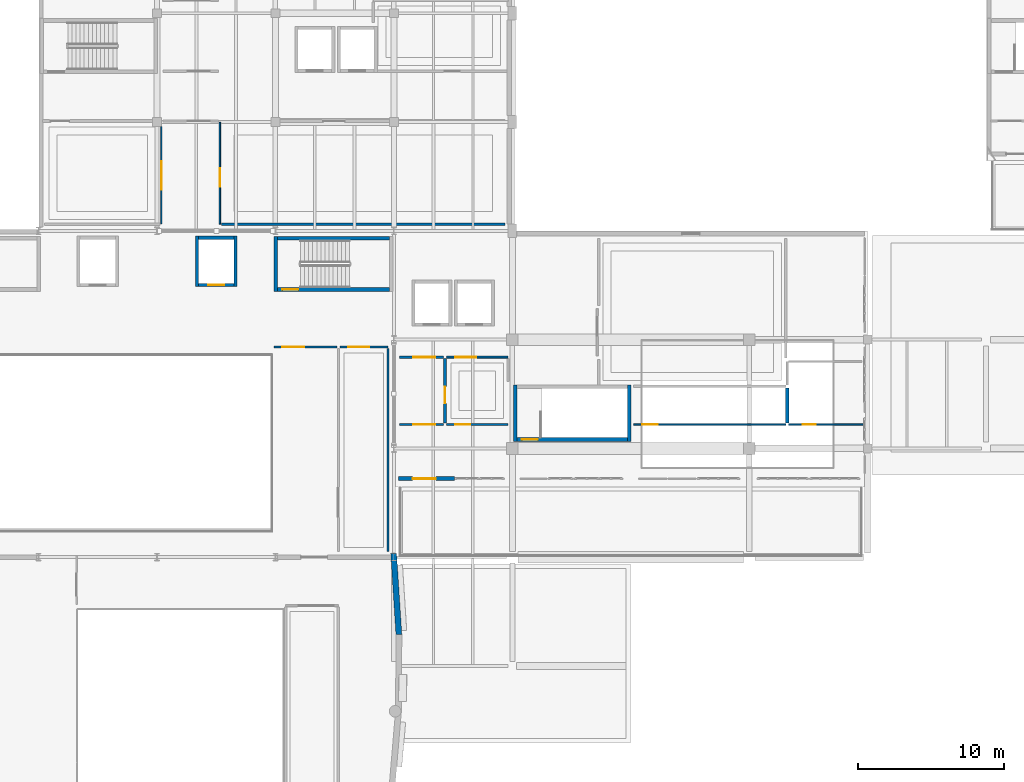
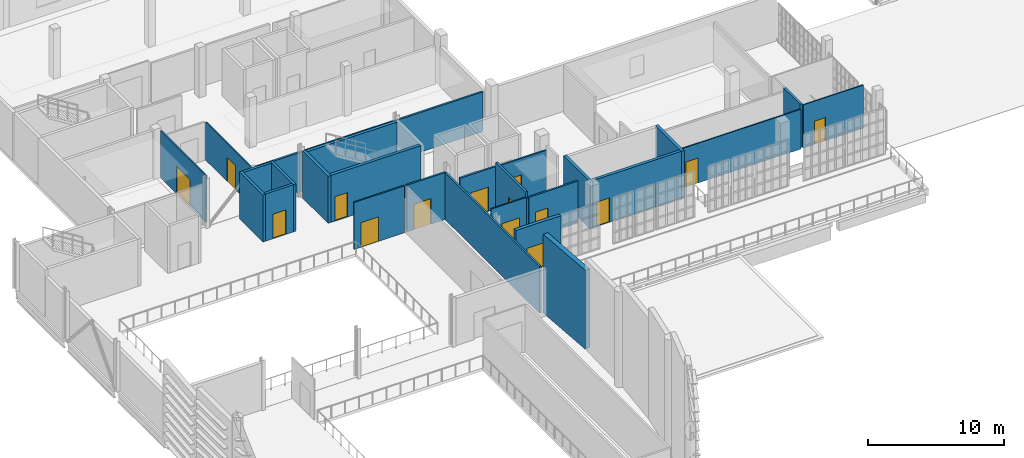
# One storey, part 46 of 56: 26 walls, 15 doors, 15 openings.
"""IFC4 building model written with IfcOpenShell, lengths in metres."""

import ifcopenshell
import ifcopenshell.guid

model = None  # the IFC model being written
_history = None  # IfcOwnerHistory: only IFC2X3 demands one
_inside = {}  # id of a spatial element -> (the spatial element, [elements in it])
_under = {}  # id of a project, library or spatial element -> (it, [spatial elements below it])
_declared = {}  # id of a project -> (the project, [libraries it declares])
_typed = {}  # id of a type object -> (the type object, [elements of that type])
_made_of = {}  # id of a material, layer set ... -> (it, [elements and type objects made of it])


def new_model(schema):
    """Start an empty IFC model of exactly this schema.

    Asked for "IFC4X3", IfcOpenShell would pick the latest addendum, in which some entities
    have other attributes; the version numbers below select the first issue.
    IFC2X3 requires an IfcOwnerHistory on every rooted entity: one is made here for all.
    """
    global model, _history
    if schema == "IFC4X3":
        model = ifcopenshell.file(schema_version=(4, 3, 0, 0))
    else:
        model = ifcopenshell.file(schema=schema)
    _inside.clear()
    _under.clear()
    _declared.clear()
    _typed.clear()
    _made_of.clear()
    _history = None
    if model.schema == "IFC2X3":
        org = make("IfcOrganization", Name="unknown")
        user = make(
            "IfcPersonAndOrganization",
            ThePerson=make("IfcPerson", FamilyName="unknown"),
            TheOrganization=org,
        )
        app = make(
            "IfcApplication",
            ApplicationDeveloper=org,
            Version="unknown",
            ApplicationFullName="unknown",
            ApplicationIdentifier="unknown",
        )
        _history = make(
            "IfcOwnerHistory",
            OwningUser=user,
            OwningApplication=app,
            ChangeAction="ADDED",
            CreationDate=0,
        )
    return model


def make(cls, **values):
    """One entity of the class cls with the attributes given. An attribute that is None is left unset."""
    return model.create_entity(
        cls, **{name: value for name, value in values.items() if value is not None}
    )


def rooted(cls, **values):
    """An entity with a GlobalId (a new one), such as an element, a storey or a relation."""
    return make(cls, GlobalId=ifcopenshell.guid.new(), OwnerHistory=_history, **values)


def si_unit(unit_type, name, prefix=None):
    """IfcSIUnit, for example si_unit("LENGTHUNIT", "METRE", prefix="MILLI")."""
    return make("IfcSIUnit", UnitType=unit_type, Prefix=prefix, Name=name)


def assignment(units):
    """IfcUnitAssignment: the units of a project."""
    return None if units is None else make("IfcUnitAssignment", Units=units)


def point(xyz):
    """IfcCartesianPoint."""
    return None if xyz is None else make("IfcCartesianPoint", Coordinates=xyz)


def direction(xyz):
    """IfcDirection."""
    return None if xyz is None else make("IfcDirection", DirectionRatios=xyz)


def frame(location, z_axis=None, x_axis=None):
    """IfcAxis2Placement3D, a coordinate frame: its origin and axes. An axis left out is left unset."""
    return make(
        "IfcAxis2Placement3D",
        Location=point(location),
        Axis=direction(z_axis),
        RefDirection=direction(x_axis),
    )


def frame_2d(location, x_axis=None):
    """IfcAxis2Placement2D, a coordinate frame in the plane: its origin and x axis."""
    return make(
        "IfcAxis2Placement2D", Location=point(location), RefDirection=direction(x_axis)
    )


def origin():
    """The frame at (0, 0, 0) with its axes left unset."""
    return frame((0.0, 0.0, 0.0))


def place(relative_to, where):
    """IfcLocalPlacement: puts the frame where relative to a parent placement (None: the world)."""
    return make(
        "IfcLocalPlacement", PlacementRelTo=relative_to, RelativePlacement=where
    )


def context(
    kind, dimensions, precision=None, world=None, true_north=None, identifier=None
):
    """IfcGeometricRepresentationContext, for example the 3D "Model" context."""
    return make(
        "IfcGeometricRepresentationContext",
        ContextIdentifier=identifier,
        ContextType=kind,
        CoordinateSpaceDimension=dimensions,
        Precision=precision,
        WorldCoordinateSystem=world,
        TrueNorth=true_north,
    )


def subcontext(parent, identifier, kind, view, scale=None):
    """IfcGeometricRepresentationSubContext, for example "Body" below "Model"."""
    return make(
        "IfcGeometricRepresentationSubContext",
        ContextIdentifier=identifier,
        ContextType=kind,
        ParentContext=parent,
        TargetScale=scale,
        TargetView=view,
    )


def project(units=None, contexts=None):
    """IfcProject with its units and contexts."""
    return rooted(
        "IfcProject",
        Name="project",
        RepresentationContexts=contexts,
        UnitsInContext=assignment(units),
    )


def spatial(cls, under=None, at=None, **own):
    """A site, building, storey or space (cls), placed at a placement, below another one or the project."""
    s = rooted(cls, ObjectPlacement=at, **own)
    if under is not None:
        _under.setdefault(under.id(), (under, []))[1].append(s)
    return s


def profile(cls, at=None, kind="AREA", **sizes):
    """A parametric profile (cls). Its sizes go by their IFC names, for example OverallWidth=200.0."""
    return make(cls, ProfileType=kind, Position=at, **sizes)


def rectangle(**sizes):
    """IfcRectangleProfileDef."""
    return profile("IfcRectangleProfileDef", **sizes)


def extrude(swept, where, along, depth):
    """IfcExtrudedAreaSolid: the profile swept, set in the frame where, extruded along a direction by depth."""
    return make(
        "IfcExtrudedAreaSolid",
        SweptArea=swept,
        Position=where,
        ExtrudedDirection=direction(along),
        Depth=depth,
    )


def shape(context_of_items, identifier, shape_type, items):
    """IfcShapeRepresentation: the items that make up one representation, for example the "Body"."""
    return make(
        "IfcShapeRepresentation",
        ContextOfItems=context_of_items,
        RepresentationIdentifier=identifier,
        RepresentationType=shape_type,
        Items=items,
    )


def material(Name=None, Category=None):
    """IfcMaterial."""
    return make("IfcMaterial", Name=Name, Category=Category)


def layer(
    of_material, thickness, ventilated=None, Name=None, Category=None, Priority=None
):
    """IfcMaterialLayer: one layer of a wall or slab, of a material (None: an air gap)."""
    return make(
        "IfcMaterialLayer",
        Material=of_material,
        LayerThickness=thickness,
        IsVentilated=ventilated,
        Name=Name,
        Category=Category,
        Priority=Priority,
    )


def layer_set(layers, Name=None):
    """IfcMaterialLayerSet."""
    return make("IfcMaterialLayerSet", MaterialLayers=layers, LayerSetName=Name)


def made_of(thing, what):
    """Note that an element or type object is made of a material, layer set ...; save() writes the relation."""
    if what is not None:
        _made_of.setdefault(what.id(), (what, []))[1].append(thing)
    return thing


def type_object(cls, material=None, **own):
    """A type object (cls), such as IfcWallType, which elements share."""
    return made_of(rooted(cls, **own), material)


def element(
    cls,
    number,
    at=None,
    inside=None,
    cuts=None,
    type_object=None,
    material=None,
    context=None,
    identifier="Body",
    shape_type=None,
    held_by="IfcProductDefinitionShape",
    body=None,
    shapes=None,
    **own,
):
    """One element of the class cls, such as IfcWall. Its Tag is "e" and its number.

    at: its placement. inside: the storey or other place that contains it. cuts: it is an
    opening in that element (IfcRelVoidsElement). A single representation is given by context,
    identifier, shape_type and body (its items); several are given by shapes. held_by: the class
    of the entity that holds the representations. save() writes the other relations.
    """
    e = rooted(cls, Tag="e%d" % number, ObjectPlacement=at, **own)
    if body is not None:
        shapes = [shape(context, identifier, shape_type, body)]
    if shapes is not None:
        e.Representation = make(held_by, Representations=shapes)
    if inside is not None:
        _inside.setdefault(inside.id(), (inside, []))[1].append(e)
    if cuts is not None:
        rooted(
            "IfcRelVoidsElement", RelatingBuildingElement=cuts, RelatedOpeningElement=e
        )
    if type_object is not None:
        _typed.setdefault(type_object.id(), (type_object, []))[1].append(e)
    return made_of(e, material)


def fill(opening, filler):
    """IfcRelFillsElement: the door or window that sits in an opening."""
    return rooted(
        "IfcRelFillsElement",
        RelatingOpeningElement=opening,
        RelatedBuildingElement=filler,
    )


def aggregate(whole, parts):
    """IfcRelAggregates: a whole, such as a stair, and the parts it consists of."""
    return rooted("IfcRelAggregates", RelatingObject=whole, RelatedObjects=parts)


def save(model, path):
    """Write the relations noted so far, then the file.

    IfcRelAggregates (storeys below a building ...), IfcRelContainedInSpatialStructure (elements
    in a storey), IfcRelDefinesByType, IfcRelAssociatesMaterial and IfcRelDeclares: one each for
    every whole, place, type object, material and project.
    """
    for whole, parts in _under.values():
        aggregate(whole, parts)
    for where, things in _inside.values():
        rooted(
            "IfcRelContainedInSpatialStructure",
            RelatedElements=things,
            RelatingStructure=where,
        )
    for kind, things in _typed.values():
        rooted("IfcRelDefinesByType", RelatedObjects=things, RelatingType=kind)
    for what, things in _made_of.values():
        rooted("IfcRelAssociatesMaterial", RelatedObjects=things, RelatingMaterial=what)
    for by, libraries in _declared.values():
        rooted("IfcRelDeclares", RelatingContext=by, RelatedDefinitions=libraries)
    model.write(path)


model = new_model("IFC4")

# Units and contexts
model_context = context("Model", 3, precision=1e-05, world=origin(), true_north=direction((0.0, 1.0)))
body_context = subcontext(model_context, "Body", "Model", "MODEL_VIEW")
ifc_project = project(units=[si_unit("LENGTHUNIT", "METRE"), si_unit("AREAUNIT", "SQUARE_METRE"), si_unit("VOLUMEUNIT", "CUBIC_METRE"), si_unit("PLANEANGLEUNIT", "RADIAN"), si_unit("MASSUNIT", "GRAM", prefix="KILO")], contexts=[model_context])

# Site, building, storey
site_placement = place(None, origin())
site = spatial("IfcSite", under=ifc_project, at=site_placement, CompositionType="ELEMENT")
building_placement = place(site_placement, origin())
building = spatial("IfcBuilding", under=site, at=building_placement, Name="Kaelora Sail Theatre", CompositionType="ELEMENT")
storey_placement = place(building_placement, frame((0.0, 0.0, 14.699951171875)))
storey = spatial("IfcBuildingStorey", under=building, at=storey_placement, Name="L03", CompositionType="ELEMENT", Elevation=14.699951171875)

# Wall, opening, door
ifc_material_1 = material(Name="Concrete C40/50", Category="concrete")
ifc_layer_1 = layer(ifc_material_1, 0.25)
ifc_layer_set_1 = layer_set([ifc_layer_1], Name="Concrete C40/50")
wall_type_1 = type_object("IfcWallType", Name="ARC-WL-CW-250", PredefinedType="SHEAR", material=ifc_layer_set_1)
wall_1_placement = place(storey_placement, frame((50.2548828125, 79.324951171875, 0.0), z_axis=(0.0, 0.0, 1.0), x_axis=(1.0, 0.0, 0.0)))
wall_1 = element("IfcWall", 1, at=wall_1_placement, inside=storey, type_object=wall_type_1, Name="Stair shaft ST-K5 wall L03-S", PredefinedType="SHEAR", context=body_context, shape_type="SweptSolid", body=[
    extrude(rectangle(XDim=7.64013671875, YDim=0.25, at=frame_2d((3.820068359375, 0.0))), origin(), (0.0, 0.0, 1.0), 4.2451171875),
])
opening_1_placement = place(wall_1_placement, frame((0.320068359375, 0.0, 0.0)))
opening_1 = element("IfcOpeningElement", 2, at=opening_1_placement, cuts=wall_1, Name="Opening FD-02", PredefinedType="OPENING", context=body_context, shape_type="SweptSolid", body=[
    extrude(rectangle(XDim=1.10009765625, YDim=2.199951171875, at=frame_2d((0.550048828125, 1.10009765625))), frame((0.0, 0.135, 0.0), z_axis=(0.0, -1.0, 0.0), x_axis=(1.0, 0.0, 0.0)), (0.0, 0.0, 1.0), 0.27),
])
ifc_material_2 = material(Name="Acoustic steel single stair/lobby fire door EI 90-C", Category="steel")
door_type_1 = type_object("IfcDoorType", Name="ARC-DR-FD-02", OperationType="NOTDEFINED", PredefinedType="DOOR", material=ifc_material_2)
door_1_placement = place(opening_1_placement, origin())
door_1 = element("IfcDoor", 3, at=door_1_placement, inside=storey, type_object=door_type_1, Name="Stair ST-K5 door (L03)", OperationType="SINGLE_SWING_LEFT", OverallHeight=2.199951171875, OverallWidth=1.10009765625, PredefinedType="DOOR", context=body_context, shape_type="SweptSolid", body=[
    extrude(rectangle(XDim=1.10009765625, YDim=2.199951171875, at=frame_2d((0.550048828125, 1.10009765625))), frame((0.0, 0.02490234375, 0.0), z_axis=(0.0, -1.0, 0.0), x_axis=(1.0, 0.0, 0.0)), (0.0, 0.0, 1.0), 0.050048828125),
])
fill(opening_1, door_1)

# Walls
wall_2_placement = place(storey_placement, frame((50.2548828125, 82.824951171875, 0.0), z_axis=(0.0, 0.0, 1.0), x_axis=(1.0, 0.0, 0.0)))
element("IfcWall", 4, at=wall_2_placement, inside=storey, type_object=wall_type_1, Name="Stair shaft ST-K5 wall L03-N", PredefinedType="SHEAR", context=body_context, shape_type="SweptSolid", body=[
    extrude(rectangle(XDim=7.64013671875, YDim=0.25, at=frame_2d((3.820068359375, 0.0))), origin(), (0.0, 0.0, 1.0), 4.2451171875),
])
wall_3_placement = place(storey_placement, frame((50.125, 79.199951171875, 0.0), z_axis=(0.0, 0.0, 1.0), x_axis=(0.0, 1.0, 0.0)))
element("IfcWall", 5, at=wall_3_placement, inside=storey, type_object=wall_type_1, Name="Stair shaft ST-K5 wall L03-W", PredefinedType="SHEAR", context=body_context, shape_type="SweptSolid", body=[
    extrude(rectangle(XDim=3.75, YDim=0.25, at=frame_2d((1.875, 0.0))), origin(), (0.0, 0.0, 1.0), 4.2451171875),
])

# Wall, opening, door
wall_4_placement = place(storey_placement, frame((66.625, 69.074951171875, 0.0), z_axis=(0.0, 0.0, 1.0), x_axis=(1.0, 0.0, 0.0)))
wall_4 = element("IfcWall", 6, at=wall_4_placement, inside=storey, type_object=wall_type_1, Name="Stair shaft ST-F1 wall L03-S", PredefinedType="SHEAR", context=body_context, shape_type="SweptSolid", body=[
    extrude(rectangle(XDim=7.5400390625, YDim=0.25, at=frame_2d((3.77001953125, 0.0))), origin(), (0.0, 0.0, 1.0), 4.2451171875),
])
opening_2_placement = place(wall_4_placement, frame((0.320068359375, 0.0, 0.0)))
opening_2 = element("IfcOpeningElement", 7, at=opening_2_placement, cuts=wall_4, Name="Opening FD-02", PredefinedType="OPENING", context=body_context, shape_type="SweptSolid", body=[
    extrude(rectangle(XDim=1.10009765625, YDim=2.199951171875, at=frame_2d((0.550048828125, 1.10009765625))), frame((0.0, 0.135, 0.0), z_axis=(0.0, -1.0, 0.0), x_axis=(1.0, 0.0, 0.0)), (0.0, 0.0, 1.0), 0.27),
])
door_2_placement = place(opening_2_placement, origin())
door_2 = element("IfcDoor", 8, at=door_2_placement, inside=storey, type_object=door_type_1, Name="Stair ST-F1 door (L03)", OperationType="SINGLE_SWING_RIGHT", OverallHeight=2.199951171875, OverallWidth=1.10009765625, PredefinedType="DOOR", context=body_context, shape_type="SweptSolid", body=[
    extrude(rectangle(XDim=1.10009765625, YDim=2.199951171875, at=frame_2d((0.550048828125, 1.10009765625))), frame((0.0, 0.02490234375, 0.0), z_axis=(0.0, -1.0, 0.0), x_axis=(1.0, 0.0, 0.0)), (0.0, 0.0, 1.0), 0.050048828125),
])
fill(opening_2, door_2)

# Walls
for number, where, z_axis, x_axis, name in (
    (9, (66.4951171875, 68.949951171875, 0.0), (0.0, 0.0, 1.0), (0.0, 1.0, 0.0), "Stair shaft ST-F1 wall L03-W"),
    (10, (74.294921875, 68.949951171875, 0.0), (0.0, 0.0, 1.0), (0.0, 1.0, 0.0), "Stair shaft ST-F1 wall L03-E"),
):
    element("IfcWall", number, at=place(storey_placement, frame(where, z_axis=z_axis, x_axis=x_axis)), inside=storey, type_object=wall_type_1, Name=name, PredefinedType="SHEAR", context=body_context, shape_type="SweptSolid", body=[
        extrude(rectangle(XDim=3.85009765625, YDim=0.25, at=frame_2d((1.925048828125, 0.0))), origin(), (0.0, 0.0, 1.0), 4.2451171875),
    ])
ifc_material_3 = material(Name="Concrete C50/60", Category="concrete")
ifc_layer_2 = layer(ifc_material_3, 0.39990234375)
ifc_layer_set_2 = layer_set([ifc_layer_2], Name="Concrete C50/60")
wall_type_2 = type_object("IfcWallType", Name="ARC-WL-DW-400", PredefinedType="SHEAR", material=ifc_layer_set_2)
wall_5_placement = place(storey_placement, frame((58.181884765625, 61.29931640625, 0.0), z_axis=(0.0, 0.0, 1.0), x_axis=(0.064519893008, -0.997916421053, 0.0)))
element("IfcWall", 11, at=wall_5_placement, inside=storey, type_object=wall_type_2, Name="Main Theatre Sail Drum curved drum acoustic wall L03 chord 1", PredefinedType="SHEAR", context=body_context, shape_type="SweptSolid", body=[
    extrude(rectangle(XDim=5.585205078125, YDim=0.39990234375, at=frame_2d((2.79248046875, 0.0))), origin(), (0.0, 0.0, 1.0), 7.0966796875),
])

# Wall, opening, door
ifc_material_4 = material(Name="Precast concrete C45/55", Category="concrete")
ifc_layer_3 = layer(ifc_material_4, 0.280029296875)
ifc_layer_set_3 = layer_set([ifc_layer_3], Name="Precast concrete C45/55")
wall_type_3 = type_object("IfcWallType", Name="ARC-WL-EW-280", PredefinedType="SOLIDWALL", material=ifc_layer_set_3)
wall_6_placement = place(storey_placement, frame((58.530029296875, 66.389892578125, 0.0), z_axis=(0.0, 0.0, 1.0), x_axis=(1.0, 0.0, 0.0)))
wall_6 = element("IfcWall", 12, at=wall_6_placement, inside=storey, type_object=wall_type_3, Name="Patrons Sky-Bridge Terrace TR-S3C Access Wall", PredefinedType="SOLIDWALL", context=body_context, shape_type="SweptSolid", body=[
    extrude(rectangle(XDim=3.830078125, YDim=0.280029296875, at=frame_2d((1.9150390625, 0.0))), origin(), (0.0, 0.0, 1.0), 4.22509765625),
])
opening_3_placement = place(wall_6_placement, frame((0.949951171875, 0.0, 0.0)))
opening_3 = element("IfcOpeningElement", 13, at=opening_3_placement, cuts=wall_6, Name="Opening ED-05", PredefinedType="OPENING", context=body_context, shape_type="SweptSolid", body=[
    extrude(rectangle(XDim=1.60009765625, YDim=2.300048828125, at=frame_2d((0.800048828125, 1.14990234375))), frame((0.0, 0.150137, 0.0), z_axis=(0.0, -1.0, 0.0), x_axis=(1.0, 0.0, 0.0)), (0.0, 0.0, 1.0), 0.300029),
])
ifc_material_5 = material(Name="Terrace glazed double swing door", Category="aluminium")
door_type_2 = type_object("IfcDoorType", Name="ARC-DR-ED-05", OperationType="NOTDEFINED", PredefinedType="DOOR", material=ifc_material_5)
door_3_placement = place(opening_3_placement, origin())
door_3 = element("IfcDoor", 14, at=door_3_placement, inside=storey, type_object=door_type_2, Name="Patrons Sky-Bridge Terrace TR-S3C Access Wall Door", OperationType="DOUBLE_DOOR_SINGLE_SWING", OverallHeight=2.300048828125, OverallWidth=1.60009765625, PredefinedType="DOOR", context=body_context, shape_type="SweptSolid", body=[
    extrude(rectangle(XDim=1.60009765625, YDim=2.300048828125, at=frame_2d((0.800048828125, 1.14990234375))), frame((0.0, 0.02490234375, 0.0), z_axis=(0.0, -1.0, 0.0), x_axis=(1.0, 0.0, 0.0)), (0.0, 0.0, 1.0), 0.050048828125),
])
fill(opening_3, door_3)

ifc_material_6 = material(Name="Demountable acoustic studio wall 150 mm", Category="timber")
ifc_layer_4 = layer(ifc_material_6, 0.14990234375)
ifc_layer_set_4 = layer_set([ifc_layer_4], Name="Demountable acoustic studio wall 150 mm")
wall_type_4 = type_object("IfcWallType", Name="ARC-WL-MV-150", PredefinedType="MOVABLE", material=ifc_layer_set_4)
wall_7_placement = place(storey_placement, frame((54.5, 75.39990234375, 0.0), z_axis=(0.0, 0.0, 1.0), x_axis=(1.0, 0.0, 0.0)))
wall_7 = element("IfcWall", 15, at=wall_7_placement, inside=storey, type_object=wall_type_4, Name="Interior acoustic partition L03-FLY-LOAD/L03-COR-FLY", PredefinedType="MOVABLE", context=body_context, shape_type="SweptSolid", body=[
    extrude(rectangle(XDim=3.300048828125, YDim=0.14990234375, at=frame_2d((1.64990234375, 0.0))), origin(), (0.0, 0.0, 1.0), 4.22509765625),
])
opening_4_placement = place(wall_7_placement, frame((0.580078125, 0.0, 0.0)))
opening_4 = element("IfcOpeningElement", 16, at=opening_4_placement, cuts=wall_7, Name="Opening ID-12", PredefinedType="OPENING", context=body_context, shape_type="SweptSolid", body=[
    extrude(rectangle(XDim=1.449951171875, YDim=2.300048828125, at=frame_2d((0.72509765625, 1.14990234375))), frame((0.0, 0.084951, 0.0), z_axis=(0.0, -1.0, 0.0), x_axis=(1.0, 0.0, 0.0)), (0.0, 0.0, 1.0), 0.169902),
])
ifc_material_7 = material(Name="Orchestra warm-up acoustic double door", Category="steel")
door_type_3 = type_object("IfcDoorType", Name="ARC-DR-ID-12", OperationType="NOTDEFINED", PredefinedType="DOOR", material=ifc_material_7)
door_4_placement = place(opening_4_placement, origin())
door_4 = element("IfcDoor", 17, at=door_4_placement, inside=storey, type_object=door_type_3, Name="Interior door L03-FLY-LOAD to L03-COR-FLY", OperationType="DOUBLE_DOOR_SINGLE_SWING", OverallHeight=2.300048828125, OverallWidth=1.449951171875, PredefinedType="DOOR", context=body_context, shape_type="SweptSolid", body=[
    extrude(rectangle(XDim=1.449951171875, YDim=2.300048828125, at=frame_2d((0.72509765625, 1.14990234375))), frame((0.0, 0.02490234375, 0.0), z_axis=(0.0, -1.0, 0.0), x_axis=(1.0, 0.0, 0.0)), (0.0, 0.0, 1.0), 0.050048828125),
])
fill(opening_4, door_4)

wall_8_placement = place(storey_placement, frame((61.800048828125, 70.10009765625, 0.0), z_axis=(0.0, 0.0, 1.0), x_axis=(1.0, 0.0, 0.0)))
wall_8 = element("IfcWall", 18, at=wall_8_placement, inside=storey, type_object=wall_type_4, Name="Interior acoustic partition L03-COR-FOYC/L03-DONOR-EAST", PredefinedType="MOVABLE", context=body_context, shape_type="SweptSolid", body=[
    extrude(rectangle(XDim=4.199951171875, YDim=0.14990234375, at=frame_2d((2.10009765625, 0.0))), origin(), (0.0, 0.0, 1.0), 3.777099609375),
])
opening_5_placement = place(wall_8_placement, frame((0.580078125, 0.0, 0.0)))
opening_5 = element("IfcOpeningElement", 19, at=opening_5_placement, cuts=wall_8, Name="Opening ID-06", PredefinedType="OPENING", context=body_context, shape_type="SweptSolid", body=[
    extrude(rectangle(XDim=1.050048828125, YDim=2.25, at=frame_2d((0.52490234375, 1.125))), frame((0.0, 0.084951, 0.0), z_axis=(0.0, -1.0, 0.0), x_axis=(1.0, 0.0, 0.0)), (0.0, 0.0, 1.0), 0.169902),
])
ifc_material_8 = material(Name="Soloist dressing acoustic timber door", Category="wood")
door_type_4 = type_object("IfcDoorType", Name="ARC-DR-ID-06", OperationType="NOTDEFINED", PredefinedType="DOOR", material=ifc_material_8)
door_5_placement = place(opening_5_placement, origin())
door_5 = element("IfcDoor", 20, at=door_5_placement, inside=storey, type_object=door_type_4, Name="Interior door L03-COR-FOYC to L03-DONOR-EAST", OperationType="SINGLE_SWING_LEFT", OverallHeight=2.25, OverallWidth=1.050048828125, PredefinedType="DOOR", context=body_context, shape_type="SweptSolid", body=[
    extrude(rectangle(XDim=1.050048828125, YDim=2.25, at=frame_2d((0.52490234375, 1.125))), frame((0.0, 0.02490234375, 0.0), z_axis=(0.0, -1.0, 0.0), x_axis=(1.0, 0.0, 0.0)), (0.0, 0.0, 1.0), 0.050048828125),
])
fill(opening_5, door_5)

ifc_material_9 = material(Name="Sanitary moisture-resistant partition 100 mm", Category="gypsum")
ifc_layer_5 = layer(ifc_material_9, 0.10009765625)
ifc_layer_set_5 = layer_set([ifc_layer_5], Name="Sanitary moisture-resistant partition 100 mm")
wall_type_5 = type_object("IfcWallType", Name="ARC-WL-PT-100", PredefinedType="PARTITIONING", material=ifc_layer_set_5)
wall_9_placement = place(storey_placement, frame((74.60009765625, 70.10009765625, 0.0), z_axis=(0.0, 0.0, 1.0), x_axis=(1.0, 0.0, 0.0)))
wall_9 = element("IfcWall", 21, at=wall_9_placement, inside=storey, type_object=wall_type_5, Name="Interior acoustic partition L03-COR-FOYC/L03-FOY-SE", PredefinedType="PARTITIONING", context=body_context, shape_type="SweptSolid", body=[
    extrude(rectangle(XDim=10.39990234375, YDim=0.10009765625, at=frame_2d((5.199951171875, 0.0))), origin(), (0.0, 0.0, 1.0), 3.5771484375),
])
opening_6_placement = place(wall_9_placement, frame((0.580078125, 0.0, 0.0)))
opening_6 = element("IfcOpeningElement", 22, at=opening_6_placement, cuts=wall_9, Name="Opening ID-06", PredefinedType="OPENING", context=body_context, shape_type="SweptSolid", body=[
    extrude(rectangle(XDim=1.050048828125, YDim=2.25, at=frame_2d((0.52490234375, 1.125))), frame((0.0, 0.060049, 0.0), z_axis=(0.0, -1.0, 0.0), x_axis=(1.0, 0.0, 0.0)), (0.0, 0.0, 1.0), 0.120098),
])
door_6_placement = place(opening_6_placement, origin())
door_6 = element("IfcDoor", 23, at=door_6_placement, inside=storey, type_object=door_type_4, Name="Interior door L03-COR-FOYC to L03-FOY-SE", OperationType="SINGLE_SWING_RIGHT", OverallHeight=2.25, OverallWidth=1.050048828125, PredefinedType="DOOR", context=body_context, shape_type="SweptSolid", body=[
    extrude(rectangle(XDim=1.050048828125, YDim=2.25, at=frame_2d((0.52490234375, 1.125))), frame((0.0, 0.02490234375, 0.0), z_axis=(0.0, -1.0, 0.0), x_axis=(1.0, 0.0, 0.0)), (0.0, 0.0, 1.0), 0.050048828125),
])
fill(opening_6, door_6)

wall_10_placement = place(storey_placement, frame((85.199951171875, 70.10009765625, 0.0), z_axis=(0.0, 0.0, 1.0), x_axis=(1.0, 0.0, 0.0)))
wall_10 = element("IfcWall", 24, at=wall_10_placement, inside=storey, type_object=wall_type_5, Name="Interior acoustic partition L03-COR-FOYC/L03-WC-ACC", PredefinedType="PARTITIONING", context=body_context, shape_type="SweptSolid", body=[
    extrude(rectangle(XDim=5.110107421875, YDim=0.10009765625, at=frame_2d((2.55517578125, 0.0))), origin(), (0.0, 0.0, 1.0), 3.89697265625),
])
opening_7_placement = place(wall_10_placement, frame((0.9609375, 0.0, 0.0)))
opening_7 = element("IfcOpeningElement", 25, at=opening_7_placement, cuts=wall_10, Name="Opening ID-03", PredefinedType="OPENING", context=body_context, shape_type="SweptSolid", body=[
    extrude(rectangle(XDim=0.89990234375, YDim=2.10009765625, at=frame_2d((0.449951171875, 1.050048828125))), frame((0.0, 0.060049, 0.0), z_axis=(0.0, -1.0, 0.0), x_axis=(1.0, 0.0, 0.0)), (0.0, 0.0, 1.0), 0.120098),
])
ifc_material_10 = material(Name="Accessible sanitary laminate door", Category="timber")
door_type_5 = type_object("IfcDoorType", Name="ARC-DR-ID-03", OperationType="NOTDEFINED", PredefinedType="DOOR", material=ifc_material_10)
door_7_placement = place(opening_7_placement, origin())
door_7 = element("IfcDoor", 26, at=door_7_placement, inside=storey, type_object=door_type_5, Name="Interior door L03-COR-FOYC to L03-WC-ACC", OperationType="SINGLE_SWING_LEFT", OverallHeight=2.10009765625, OverallWidth=0.89990234375, PredefinedType="DOOR", context=body_context, shape_type="SweptSolid", body=[
    extrude(rectangle(XDim=0.89990234375, YDim=2.10009765625, at=frame_2d((0.449951171875, 1.050048828125))), frame((0.0, 0.02490234375, 0.0), z_axis=(0.0, -1.0, 0.0), x_axis=(1.0, 0.0, 0.0)), (0.0, 0.0, 1.0), 0.050048828125),
])
fill(opening_7, door_7)

wall_11_placement = place(storey_placement, frame((46.300048828125, 83.800048828125, 0.0), z_axis=(0.0, 0.0, 1.0), x_axis=(0.0, 1.0, 0.0)))
wall_11 = element("IfcWall", 27, at=wall_11_placement, inside=storey, type_object=wall_type_5, Name="Interior acoustic partition L03-COR-NLINKW/L03-SCORE-W", PredefinedType="PARTITIONING", context=body_context, shape_type="SweptSolid", body=[
    extrude(rectangle(XDim=6.949951171875, YDim=0.10009765625, at=frame_2d((3.47509765625, 0.0))), origin(), (0.0, 0.0, 1.0), 3.427001953125),
])
opening_8_placement = place(wall_11_placement, frame((2.553955078125, 0.0, 0.0)))
opening_8 = element("IfcOpeningElement", 28, at=opening_8_placement, cuts=wall_11, Name="Opening ID-11", PredefinedType="OPENING", context=body_context, shape_type="SweptSolid", body=[
    extrude(rectangle(XDim=1.25, YDim=2.14990234375, at=frame_2d((0.625, 1.074951171875))), frame((0.0, 0.060049, 0.0), z_axis=(0.0, -1.0, 0.0), x_axis=(1.0, 0.0, 0.0)), (0.0, 0.0, 1.0), 0.120098),
])
ifc_material_11 = material(Name="Plant & rack room steel single door", Category="steel")
door_type_6 = type_object("IfcDoorType", Name="ARC-DR-ID-11", OperationType="NOTDEFINED", PredefinedType="DOOR", material=ifc_material_11)
door_8_placement = place(opening_8_placement, origin())
door_8 = element("IfcDoor", 29, at=door_8_placement, inside=storey, type_object=door_type_6, Name="Interior door L03-COR-NLINKW to L03-SCORE-W", OperationType="SINGLE_SWING_RIGHT", OverallHeight=2.14990234375, OverallWidth=1.25, PredefinedType="DOOR", context=body_context, shape_type="SweptSolid", body=[
    extrude(rectangle(XDim=1.25, YDim=2.14990234375, at=frame_2d((0.625, 1.074951171875))), frame((0.0, 0.02490234375, 0.0), z_axis=(0.0, -1.0, 0.0), x_axis=(1.0, 0.0, 0.0)), (0.0, 0.0, 1.0), 0.050048828125),
])
fill(opening_8, door_8)

ifc_material_12 = material(Name="Office acoustic stud partition 110 mm", Category="gypsum")
ifc_layer_6 = layer(ifc_material_12, 0.110107421875)
ifc_layer_set_6 = layer_set([ifc_layer_6], Name="Office acoustic stud partition 110 mm")
wall_type_6 = type_object("IfcWallType", Name="ARC-WL-PT-110", PredefinedType="PARTITIONING", material=ifc_layer_set_6)
wall_12_placement = place(storey_placement, frame((42.300048828125, 83.800048828125, 0.0), z_axis=(0.0, 0.0, 1.0), x_axis=(0.0, 1.0, 0.0)))
wall_12 = element("IfcWall", 30, at=wall_12_placement, inside=storey, type_object=wall_type_6, Name="Interior acoustic partition L03-COR-NLINKW/L03-SCORE-W2", PredefinedType="PARTITIONING", context=body_context, shape_type="SweptSolid", body=[
    extrude(rectangle(XDim=6.675048828125, YDim=0.110107421875, at=frame_2d((3.33740234375, 0.0))), origin(), (0.0, 0.0, 1.0), 4.22509765625),
])
opening_9_placement = place(wall_12_placement, frame((2.362060546875, 0.0, 0.0)))
opening_9 = element("IfcOpeningElement", 31, at=opening_9_placement, cuts=wall_12, Name="Opening ID-10", PredefinedType="OPENING", context=body_context, shape_type="SweptSolid", body=[
    extrude(rectangle(XDim=1.949951171875, YDim=2.449951171875, at=frame_2d((0.97509765625, 1.22509765625))), frame((0.0, 0.065176, 0.0), z_axis=(0.0, -1.0, 0.0), x_axis=(1.0, 0.0, 0.0)), (0.0, 0.0, 1.0), 0.130107),
])
ifc_material_13 = material(Name="Foyer hospitality glazed double door", Category="steel")
door_type_7 = type_object("IfcDoorType", Name="ARC-DR-ID-10", OperationType="NOTDEFINED", PredefinedType="DOOR", material=ifc_material_13)
door_9_placement = place(opening_9_placement, origin())
door_9 = element("IfcDoor", 32, at=door_9_placement, inside=storey, type_object=door_type_7, Name="Interior door L03-COR-NLINKW to L03-SCORE-W2", OperationType="DOUBLE_DOOR_SINGLE_SWING", OverallHeight=2.449951171875, OverallWidth=1.949951171875, PredefinedType="DOOR", context=body_context, shape_type="SweptSolid", body=[
    extrude(rectangle(XDim=1.949951171875, YDim=2.449951171875, at=frame_2d((0.97509765625, 1.22509765625))), frame((0.0, 0.02490234375, 0.0), z_axis=(0.0, -1.0, 0.0), x_axis=(1.0, 0.0, 0.0)), (0.0, 0.0, 1.0), 0.050048828125),
])
fill(opening_9, door_9)

ifc_material_14 = material(Name="Standard metal-stud partition 120 mm", Category="gypsum")
ifc_layer_7 = layer(ifc_material_14, 0.1201171875)
ifc_layer_set_7 = layer_set([ifc_layer_7], Name="Standard metal-stud partition 120 mm")
wall_type_7 = type_object("IfcWallType", Name="ARC-WL-PT-120", PredefinedType="PARTITIONING", material=ifc_layer_set_7)
wall_13_placement = place(storey_placement, frame((50.0, 75.39990234375, 0.0), z_axis=(0.0, 0.0, 1.0), x_axis=(1.0, 0.0, 0.0)))
wall_13 = element("IfcWall", 33, at=wall_13_placement, inside=storey, type_object=wall_type_7, Name="Interior acoustic partition L03-MAIN-ELINK/L03-COR-FLY", PredefinedType="PARTITIONING", context=body_context, shape_type="SweptSolid", body=[
    extrude(rectangle(XDim=4.300048828125, YDim=0.1201171875, at=frame_2d((2.14990234375, 0.0))), origin(), (0.0, 0.0, 1.0), 4.22509765625),
])
opening_10_placement = place(wall_13_placement, frame((0.580078125, 0.0, 0.0)))
opening_10 = element("IfcOpeningElement", 34, at=opening_10_placement, cuts=wall_13, Name="Opening FD-01", PredefinedType="OPENING", context=body_context, shape_type="SweptSolid", body=[
    extrude(rectangle(XDim=1.5, YDim=2.199951171875, at=frame_2d((0.75, 1.10009765625))), frame((0.0, 0.070059, 0.0), z_axis=(0.0, -1.0, 0.0), x_axis=(1.0, 0.0, 0.0)), (0.0, 0.0, 1.0), 0.140117),
])
ifc_material_15 = material(Name="Acoustic steel double fire door EI 90-C", Category="steel")
door_type_8 = type_object("IfcDoorType", Name="ARC-DR-FD-01", OperationType="NOTDEFINED", PredefinedType="DOOR", material=ifc_material_15)
door_10_placement = place(opening_10_placement, origin())
door_10 = element("IfcDoor", 35, at=door_10_placement, inside=storey, type_object=door_type_8, Name="Interior door L03-MAIN-ELINK to L03-COR-FLY", OperationType="DOUBLE_DOOR_SINGLE_SWING", OverallHeight=2.199951171875, OverallWidth=1.5, PredefinedType="DOOR", context=body_context, shape_type="SweptSolid", body=[
    extrude(rectangle(XDim=1.5, YDim=2.199951171875, at=frame_2d((0.75, 1.10009765625))), frame((0.0, 0.02490234375, 0.0), z_axis=(0.0, -1.0, 0.0), x_axis=(1.0, 0.0, 0.0)), (0.0, 0.0, 1.0), 0.050048828125),
])
fill(opening_10, door_10)

wall_14_placement = place(storey_placement, frame((58.60009765625, 70.10009765625, 0.0), z_axis=(0.0, 0.0, 1.0), x_axis=(1.0, 0.0, 0.0)))
wall_14 = element("IfcWall", 36, at=wall_14_placement, inside=storey, type_object=wall_type_7, Name="Interior acoustic partition L03-COR-FOYC/L03-COR-LINK", PredefinedType="PARTITIONING", context=body_context, shape_type="SweptSolid", body=[
    extrude(rectangle(XDim=3.0, YDim=0.1201171875, at=frame_2d((1.5, 0.0))), origin(), (0.0, 0.0, 1.0), 3.8271484375),
])
opening_11_placement = place(wall_14_placement, frame((0.919921875, 0.0, 0.0)))
opening_11 = element("IfcOpeningElement", 37, at=opening_11_placement, cuts=wall_14, Name="Opening FD-01", PredefinedType="OPENING", context=body_context, shape_type="SweptSolid", body=[
    extrude(rectangle(XDim=1.5, YDim=2.199951171875, at=frame_2d((0.75, 1.10009765625))), frame((0.0, 0.070059, 0.0), z_axis=(0.0, -1.0, 0.0), x_axis=(1.0, 0.0, 0.0)), (0.0, 0.0, 1.0), 0.140117),
])
door_11_placement = place(opening_11_placement, origin())
door_11 = element("IfcDoor", 38, at=door_11_placement, inside=storey, type_object=door_type_8, Name="Interior door L03-COR-FOYC to L03-COR-LINK", OperationType="DOUBLE_DOOR_SINGLE_SWING", OverallHeight=2.199951171875, OverallWidth=1.5, PredefinedType="DOOR", context=body_context, shape_type="SweptSolid", body=[
    extrude(rectangle(XDim=1.5, YDim=2.199951171875, at=frame_2d((0.75, 1.10009765625))), frame((0.0, 0.02490234375, 0.0), z_axis=(0.0, -1.0, 0.0), x_axis=(1.0, 0.0, 0.0)), (0.0, 0.0, 1.0), 0.050048828125),
])
fill(opening_11, door_11)

ifc_material_16 = material(Name="Dressing room acoustic partition 130 mm", Category="gypsum")
ifc_layer_8 = layer(ifc_material_16, 0.1298828125)
ifc_layer_set_8 = layer_set([ifc_layer_8], Name="Dressing room acoustic partition 130 mm")
wall_type_8 = type_object("IfcWallType", Name="ARC-WL-PT-130", PredefinedType="PARTITIONING", material=ifc_layer_set_8)
wall_15_placement = place(storey_placement, frame((61.800048828125, 74.699951171875, 0.0), z_axis=(0.0, 0.0, 1.0), x_axis=(1.0, 0.0, 0.0)))
wall_15 = element("IfcWall", 39, at=wall_15_placement, inside=storey, type_object=wall_type_8, Name="Interior acoustic partition L03-COR-VIP/L03-DONOR-EAST", PredefinedType="PARTITIONING", context=body_context, shape_type="SweptSolid", body=[
    extrude(rectangle(XDim=4.199951171875, YDim=0.1298828125, at=frame_2d((2.10009765625, 0.0))), origin(), (0.0, 0.0, 1.0), 3.777099609375),
])
opening_12_placement = place(wall_15_placement, frame((0.580078125, 0.0, 0.0)))
opening_12 = element("IfcOpeningElement", 40, at=opening_12_placement, cuts=wall_15, Name="Opening ID-12", PredefinedType="OPENING", context=body_context, shape_type="SweptSolid", body=[
    extrude(rectangle(XDim=1.449951171875, YDim=2.300048828125, at=frame_2d((0.72509765625, 1.14990234375))), frame((0.0, 0.074941, 0.0), z_axis=(0.0, -1.0, 0.0), x_axis=(1.0, 0.0, 0.0)), (0.0, 0.0, 1.0), 0.149883),
])
door_12_placement = place(opening_12_placement, origin())
door_12 = element("IfcDoor", 41, at=door_12_placement, inside=storey, type_object=door_type_3, Name="Interior door L03-COR-VIP to L03-DONOR-EAST", OperationType="DOUBLE_DOOR_SINGLE_SWING", OverallHeight=2.300048828125, OverallWidth=1.449951171875, PredefinedType="DOOR", context=body_context, shape_type="SweptSolid", body=[
    extrude(rectangle(XDim=1.449951171875, YDim=2.300048828125, at=frame_2d((0.72509765625, 1.14990234375))), frame((0.0, 0.02490234375, 0.0), z_axis=(0.0, -1.0, 0.0), x_axis=(1.0, 0.0, 0.0)), (0.0, 0.0, 1.0), 0.050048828125),
])
fill(opening_12, door_12)

ifc_material_17 = material(Name="Acoustic metal-stud plasterboard 160 mm", Category="gypsum")
ifc_layer_9 = layer(ifc_material_17, 0.159912109375)
ifc_layer_set_9 = layer_set([ifc_layer_9], Name="Acoustic metal-stud plasterboard 160 mm")
wall_type_9 = type_object("IfcWallType", Name="ARC-WL-PT-160", PredefinedType="PARTITIONING", material=ifc_layer_set_9)
wall_16_placement = place(storey_placement, frame((58.60009765625, 74.699951171875, 0.0), z_axis=(0.0, 0.0, 1.0), x_axis=(1.0, 0.0, 0.0)))
wall_16 = element("IfcWall", 42, at=wall_16_placement, inside=storey, type_object=wall_type_9, Name="Interior acoustic partition L03-COR-LINK/L03-COR-VIP", PredefinedType="PARTITIONING", context=body_context, shape_type="SweptSolid", body=[
    extrude(rectangle(XDim=3.0, YDim=0.159912109375, at=frame_2d((1.5, 0.0))), origin(), (0.0, 0.0, 1.0), 3.8271484375),
])
opening_13_placement = place(wall_16_placement, frame((0.919921875, 0.0, 0.0)))
opening_13 = element("IfcOpeningElement", 43, at=opening_13_placement, cuts=wall_16, Name="Opening FD-01", PredefinedType="OPENING", context=body_context, shape_type="SweptSolid", body=[
    extrude(rectangle(XDim=1.5, YDim=2.199951171875, at=frame_2d((0.75, 1.10009765625))), frame((0.0, 0.090078, 0.0), z_axis=(0.0, -1.0, 0.0), x_axis=(1.0, 0.0, 0.0)), (0.0, 0.0, 1.0), 0.179912),
])
door_13_placement = place(opening_13_placement, origin())
door_13 = element("IfcDoor", 44, at=door_13_placement, inside=storey, type_object=door_type_8, Name="Interior door L03-COR-LINK to L03-COR-VIP", OperationType="DOUBLE_DOOR_SINGLE_SWING", OverallHeight=2.199951171875, OverallWidth=1.5, PredefinedType="DOOR", context=body_context, shape_type="SweptSolid", body=[
    extrude(rectangle(XDim=1.5, YDim=2.199951171875, at=frame_2d((0.75, 1.10009765625))), frame((0.0, 0.02490234375, 0.0), z_axis=(0.0, -1.0, 0.0), x_axis=(1.0, 0.0, 0.0)), (0.0, 0.0, 1.0), 0.050048828125),
])
fill(opening_13, door_13)

# Walls
wall_17_placement = place(storey_placement, frame((57.800048828125, 61.39990234375, 0.0), z_axis=(0.0, 0.0, 1.0), x_axis=(0.0, 1.0, 0.0)))
element("IfcWall", 45, at=wall_17_placement, inside=storey, type_object=wall_type_9, Name="Room enclosure wall L03-FLY-LOAD-E1", PredefinedType="PARTITIONING", context=body_context, shape_type="SweptSolid", body=[
    extrude(rectangle(XDim=13.900146484375, YDim=0.159912109375, at=frame_2d((6.9501953125, 0.0))), origin(), (0.0, 0.0, 1.0), 4.22509765625),
])
wall_18_placement = place(storey_placement, frame((46.39990234375, 83.800048828125, 0.0), z_axis=(0.0, 0.0, 1.0), x_axis=(1.0, 0.0, 0.0)))
element("IfcWall", 46, at=wall_18_placement, inside=storey, type_object=wall_type_9, Name="Room enclosure wall L03-SCORE-W-S1", PredefinedType="PARTITIONING", context=body_context, shape_type="SweptSolid", body=[
    extrude(rectangle(XDim=19.400146484375, YDim=0.159912109375, at=frame_2d((9.7001953125, 0.0))), origin(), (0.0, 0.0, 1.0), 3.5771484375),
])

# Wall, opening, door
ifc_material_18 = material(Name="Rehearsal double-stud partition 185 mm", Category="gypsum")
ifc_layer_10 = layer(ifc_material_18, 0.18505859375)
ifc_layer_set_10 = layer_set([ifc_layer_10], Name="Rehearsal double-stud partition 185 mm")
wall_type_10 = type_object("IfcWallType", Name="ARC-WL-PT-185", PredefinedType="PARTITIONING", material=ifc_layer_set_10)
wall_19_placement = place(storey_placement, frame((61.699951171875, 70.199951171875, 0.0), z_axis=(0.0, 0.0, 1.0), x_axis=(0.0, 1.0, 0.0)))
wall_19 = element("IfcWall", 47, at=wall_19_placement, inside=storey, type_object=wall_type_10, Name="Interior acoustic partition L03-COR-LINK/L03-DONOR-EAST", PredefinedType="PARTITIONING", context=body_context, shape_type="SweptSolid", body=[
    extrude(rectangle(XDim=4.400146484375, YDim=0.18505859375, at=frame_2d((2.2001953125, 0.0))), origin(), (0.0, 0.0, 1.0), 4.22509765625),
])
opening_14_placement = place(wall_19_placement, frame((1.340087890625, 0.0, 0.0)))
opening_14 = element("IfcOpeningElement", 48, at=opening_14_placement, cuts=wall_19, Name="Opening ID-07", PredefinedType="OPENING", context=body_context, shape_type="SweptSolid", body=[
    extrude(rectangle(XDim=1.14990234375, YDim=2.25, at=frame_2d((0.574951171875, 1.125))), frame((0.0, 0.102529, 0.0), z_axis=(0.0, -1.0, 0.0), x_axis=(1.0, 0.0, 0.0)), (0.0, 0.0, 1.0), 0.205059),
])
ifc_material_19 = material(Name="Chorus ensemble wide single door", Category="steel")
door_type_9 = type_object("IfcDoorType", Name="ARC-DR-ID-07", OperationType="NOTDEFINED", PredefinedType="DOOR", material=ifc_material_19)
door_14_placement = place(opening_14_placement, origin())
door_14 = element("IfcDoor", 49, at=door_14_placement, inside=storey, type_object=door_type_9, Name="Interior door L03-COR-LINK to L03-DONOR-EAST", OperationType="SINGLE_SWING_RIGHT", OverallHeight=2.25, OverallWidth=1.14990234375, PredefinedType="DOOR", context=body_context, shape_type="SweptSolid", body=[
    extrude(rectangle(XDim=1.14990234375, YDim=2.25, at=frame_2d((0.574951171875, 1.125))), frame((0.0, 0.02490234375, 0.0), z_axis=(0.0, -1.0, 0.0), x_axis=(1.0, 0.0, 0.0)), (0.0, 0.0, 1.0), 0.050048828125),
])
fill(opening_14, door_14)

# Wall
ifc_material_20 = material(Name="Studio box-in-box acoustic partition 215 mm", Category="gypsum")
ifc_layer_11 = layer(ifc_material_20, 0.215087890625)
ifc_layer_set_11 = layer_set([ifc_layer_11], Name="Studio box-in-box acoustic partition 215 mm")
wall_type_11 = type_object("IfcWallType", Name="ARC-WL-PT-215", PredefinedType="PARTITIONING", material=ifc_layer_set_11)
wall_20_placement = place(storey_placement, frame((85.10009765625, 70.199951171875, 0.0), z_axis=(0.0, 0.0, 1.0), x_axis=(0.0, 1.0, 0.0)))
element("IfcWall", 50, at=wall_20_placement, inside=storey, type_object=wall_type_11, Name="Interior acoustic partition L03-FOY-SE/L03-WC-ACC", PredefinedType="PARTITIONING", context=body_context, shape_type="SweptSolid", body=[
    extrude(rectangle(XDim=2.400146484375, YDim=0.215087890625, at=frame_2d((1.2001953125, 0.0))), origin(), (0.0, 0.0, 1.0), 3.927001953125),
])

# Wall, opening, door
ifc_material_21 = material(Name="Concrete C40/50", Category="concrete")
ifc_layer_12 = layer(ifc_material_21, 0.219970703125)
ifc_layer_set_12 = layer_set([ifc_layer_12], Name="Concrete C40/50")
wall_type_12 = type_object("IfcWallType", Name="ARC-WL-SW-220", PredefinedType="SOLIDWALL", material=ifc_layer_set_12)
wall_21_placement = place(storey_placement, frame((44.85009765625, 79.639892578125, 0.0), z_axis=(0.0, 0.0, 1.0), x_axis=(1.0, 0.0, 0.0)))
wall_21 = element("IfcWall", 51, at=wall_21_placement, inside=storey, type_object=wall_type_12, Name="Lift FFL-02 shaft wall L03-S", PredefinedType="SOLIDWALL", context=body_context, shape_type="SweptSolid", body=[
    extrude(rectangle(XDim=2.39990234375, YDim=0.219970703125, at=frame_2d((1.199951171875, 0.0))), origin(), (0.0, 0.0, 1.0), 4.2451171875),
])
opening_15_placement = place(wall_21_placement, frame((0.64990234375, 0.0, 0.0)))
opening_15 = element("IfcOpeningElement", 52, at=opening_15_placement, cuts=wall_21, Name="Opening LD-FFL", PredefinedType="OPENING", context=body_context, shape_type="SweptSolid", body=[
    extrude(rectangle(XDim=1.10009765625, YDim=2.199951171875, at=frame_2d((0.550048828125, 1.10009765625))), frame((0.0, 0.119863, 0.0), z_axis=(0.0, -1.0, 0.0), x_axis=(1.0, 0.0, 0.0)), (0.0, 0.0, 1.0), 0.239971),
])
ifc_material_22 = material(Name="Stainless steel firefighting lift landing door EI 120", Category="steel")
door_type_10 = type_object("IfcDoorType", Name="ARC-DR-LD-FFL", OperationType="NOTDEFINED", PredefinedType="DOOR", material=ifc_material_22)
door_15_placement = place(opening_15_placement, origin())
door_15 = element("IfcDoor", 53, at=door_15_placement, inside=storey, type_object=door_type_10, Name="Lift FFL-02 sliding landing door (L03)", OperationType="SLIDING_TO_LEFT", OverallHeight=2.199951171875, OverallWidth=1.10009765625, PredefinedType="DOOR", context=body_context, shape_type="SweptSolid", body=[
    extrude(rectangle(XDim=1.10009765625, YDim=2.199951171875, at=frame_2d((0.550048828125, 1.10009765625))), frame((0.0, 0.02490234375, 0.0), z_axis=(0.0, -1.0, 0.0), x_axis=(1.0, 0.0, 0.0)), (0.0, 0.0, 1.0), 0.050048828125),
])
fill(opening_15, door_15)

# Walls
wall_22_placement = place(storey_placement, frame((44.85009765625, 82.860107421875, 0.0), z_axis=(0.0, 0.0, 1.0), x_axis=(1.0, 0.0, 0.0)))
element("IfcWall", 54, at=wall_22_placement, inside=storey, type_object=wall_type_12, Name="Lift FFL-02 shaft wall L03-N", PredefinedType="SOLIDWALL", context=body_context, shape_type="SweptSolid", body=[
    extrude(rectangle(XDim=2.39990234375, YDim=0.219970703125, at=frame_2d((1.199951171875, 0.0))), origin(), (0.0, 0.0, 1.0), 4.2451171875),
])
for number, where, z_axis, x_axis, name in (
    (55, (44.739990234375, 79.530029296875, 0.0), (0.0, 0.0, 1.0), (0.0, 1.0, 0.0), "Lift FFL-02 shaft wall L03-W"),
    (56, (47.360107421875, 79.530029296875, 0.0), (0.0, 0.0, 1.0), (0.0, 1.0, 0.0), "Lift FFL-02 shaft wall L03-E"),
):
    element("IfcWall", number, at=place(storey_placement, frame(where, z_axis=z_axis, x_axis=x_axis)), inside=storey, type_object=wall_type_12, Name=name, PredefinedType="SOLIDWALL", context=body_context, shape_type="SweptSolid", body=[
        extrude(rectangle(XDim=3.43994140625, YDim=0.219970703125, at=frame_2d((1.719970703125, 0.0))), origin(), (0.0, 0.0, 1.0), 4.2451171875),
    ])

save(model, "model.ifc")
